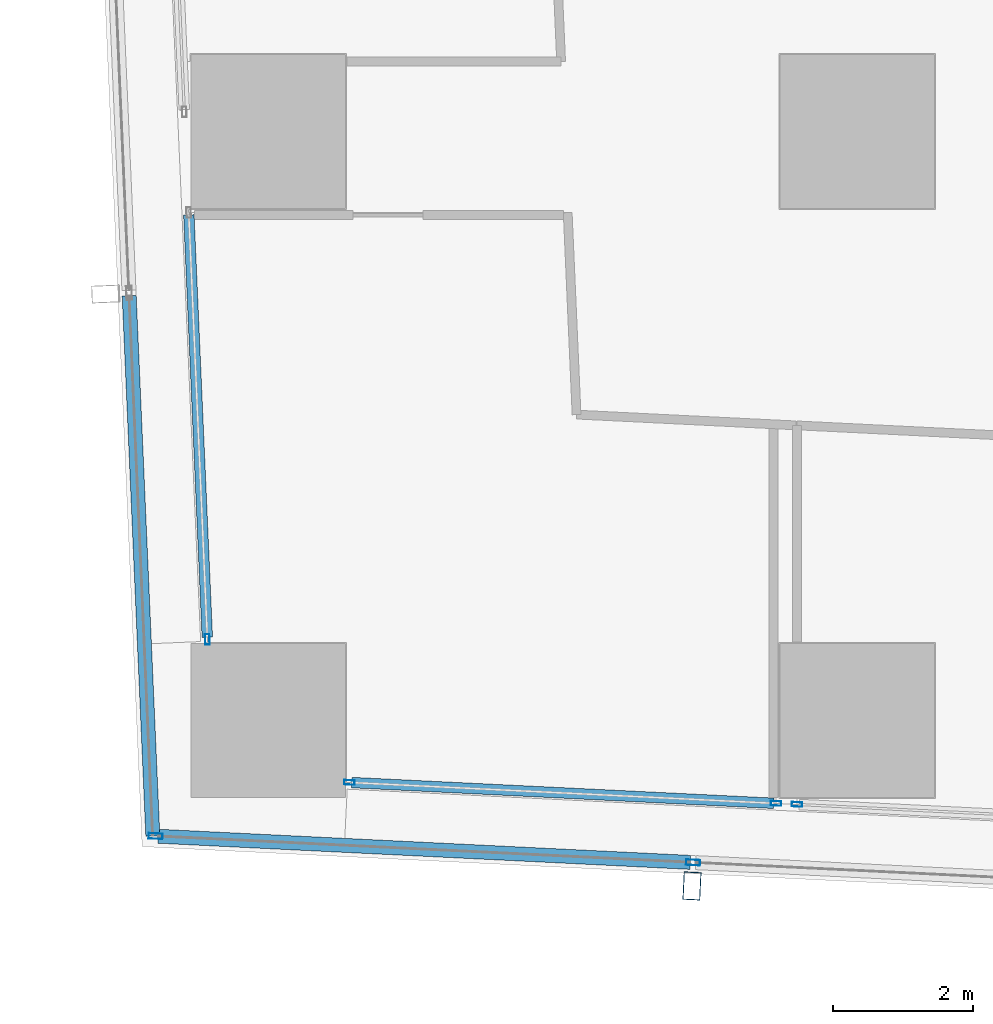
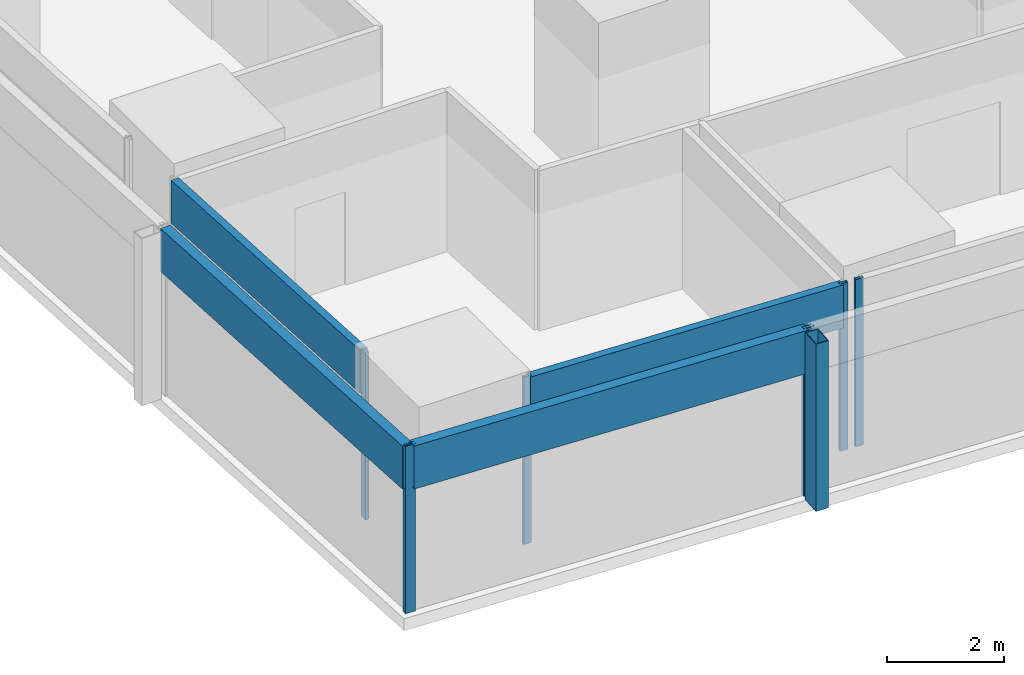
# One storey, part 2 of 42: 11 members, 5 elements without a shape of their own.
"""IFC4 building model written with IfcOpenShell, lengths in metres."""

from ifc_helpers import new_model, si_unit, direction, frame, origin, origin_2d, place, context, subcontext, project, spatial, hollow_rectangle, extrude, material, material_profile, profile_set, type_object, element, aggregate, save


model = new_model("IFC4")

# Units and contexts
model_context = context("Model", 3, precision=1e-05, world=origin(), true_north=direction((0.0, 1.0)))
body_context = subcontext(model_context, "Body", "Model", "MODEL_VIEW")
ifc_project = project(units=[si_unit("LENGTHUNIT", "METRE"), si_unit("AREAUNIT", "SQUARE_METRE"), si_unit("VOLUMEUNIT", "CUBIC_METRE"), si_unit("PLANEANGLEUNIT", "RADIAN"), si_unit("MASSUNIT", "GRAM", prefix="KILO")], contexts=[model_context])

# Site, building, storey
site_placement = place(None, origin())
site = spatial("IfcSite", under=ifc_project, at=site_placement, CompositionType="ELEMENT")
building_placement = place(site_placement, origin())
building = spatial("IfcBuilding", under=site, at=building_placement, Name="Rekha Terrace Tower", CompositionType="ELEMENT")
storey_placement = place(building_placement, frame((0.0, 0.0, 70.39990234375)))
storey = spatial("IfcBuildingStorey", under=building, at=storey_placement, Name="L17", CompositionType="ELEMENT", Elevation=70.39990234375)

# Curtain wall, member
ifc_material_1 = material(Name="Aluminium framing", Category="aluminium")
curtain_wall_type_1 = type_object("IfcCurtainWallType", Name="CW2 double skin outer glazing", PredefinedType="USERDEFINED", material=ifc_material_1)
curtain_wall_1_placement = place(storey_placement, origin())
curtain_wall_1 = element("IfcCurtainWall", 1, at=curtain_wall_1_placement, inside=storey, type_object=curtain_wall_type_1, Name="CW2 double skin outer glazing", ObjectType="DOUBLE SKIN OUTER GLAZING", PredefinedType="USERDEFINED")
ifc_material_2 = material(Name="Steel S355 with fluorocarbon finish", Category="steel")
ifc_material_profile_1 = material_profile(ifc_material_2, hollow_rectangle(XDim=0.25, YDim=0.39990234375, WallThickness=0.012451171875, at=origin_2d()), Name="RHS400x250x12.5")
ifc_profile_set_1 = profile_set([ifc_material_profile_1], Name="Steel S355 with fluorocarbon finish")
member_type_1 = type_object("IfcMemberType", Name="BL1 facade blade RHS 400 x 250", PredefinedType="USERDEFINED", material=ifc_profile_set_1)
member_1_placement = place(storey_placement, frame((14.443603515625, 6.03955078125, 0.0), z_axis=(0.0, 0.0, 1.0), x_axis=(0.998796226835, -0.049051985279, 0.0)))
member_1 = element("IfcMember", 2, at=member_1_placement, type_object=member_type_1, Name="Facade blade", ObjectType="FACADE BLADE", PredefinedType="USERDEFINED", context=body_context, shape_type="SweptSolid", body=[
    extrude(hollow_rectangle(XDim=0.25, YDim=0.39990234375, WallThickness=0.012451171875, at=origin_2d()), origin(), (0.0, 0.0, 1.0), 3.5),
])

# Curtain wall, members
curtain_wall_type_2 = type_object("IfcCurtainWallType", Name="CW1 double skin inner glazing", PredefinedType="USERDEFINED", material=ifc_material_1)
curtain_wall_2_placement = place(storey_placement, origin())
curtain_wall_2 = element("IfcCurtainWall", 3, at=curtain_wall_2_placement, inside=storey, type_object=curtain_wall_type_2, Name="CW1 double skin inner glazing", ObjectType="DOUBLE SKIN INNER GLAZING", PredefinedType="USERDEFINED")
ifc_material_3 = material(Name="Aluminium mullion section", Category="aluminium")
ifc_material_profile_2 = material_profile(ifc_material_3, hollow_rectangle(XDim=0.06494140625, YDim=0.14990234375, WallThickness=0.00390625, at=origin_2d()), Name="AL RHS 65x150")
ifc_profile_set_2 = profile_set([ifc_material_profile_2], Name="Aluminium mullion section")
member_type_2 = type_object("IfcMemberType", Name="CW1 mullion RHS 65 x 150", PredefinedType="MULLION", material=ifc_profile_set_2)
member_2_placement = place(storey_placement, frame((9.55712890625, 7.51611328125, 0.0), z_axis=(0.0, 0.0, 1.0), x_axis=(0.049051717693, 0.998796239977, 0.0)))
member_2 = element("IfcMember", 4, at=member_2_placement, type_object=member_type_2, Name="CW1 mullion 1", PredefinedType="MULLION", context=body_context, shape_type="SweptSolid", body=[
    extrude(hollow_rectangle(XDim=0.06494140625, YDim=0.14990234375, WallThickness=0.00390625, at=origin_2d()), origin(), (0.0, 0.0, 1.0), 3.5),
])
member_3_placement = place(storey_placement, frame((15.642822265625, 7.21728515625, 0.0), z_axis=(0.0, 0.0, 1.0), x_axis=(0.049051717693, 0.998796239977, 0.0)))
member_3 = element("IfcMember", 5, at=member_3_placement, type_object=member_type_2, Name="CW1 mullion 2", PredefinedType="MULLION", context=body_context, shape_type="SweptSolid", body=[
    extrude(hollow_rectangle(XDim=0.06494140625, YDim=0.14990234375, WallThickness=0.00390625, at=origin_2d()), origin(), (0.0, 0.0, 1.0), 3.5),
])

# Curtain wall, member
curtain_wall_3_placement = place(storey_placement, origin())
curtain_wall_3 = element("IfcCurtainWall", 6, at=curtain_wall_3_placement, inside=storey, type_object=curtain_wall_type_2, Name="CW1 double skin inner glazing", ObjectType="DOUBLE SKIN INNER GLAZING", PredefinedType="USERDEFINED")
member_4_placement = place(storey_placement, frame((15.94091796875, 7.20263671875, 0.0), z_axis=(0.0, 0.0, 1.0), x_axis=(0.049051717746, 0.998796239974, 0.0)))
member_4 = element("IfcMember", 7, at=member_4_placement, type_object=member_type_2, Name="CW1 mullion 1", PredefinedType="MULLION", context=body_context, shape_type="SweptSolid", body=[
    extrude(hollow_rectangle(XDim=0.06494140625, YDim=0.14990234375, WallThickness=0.00390625, at=origin_2d()), origin(), (0.0, 0.0, 1.0), 3.5),
])
aggregate(curtain_wall_3, [member_4])

curtain_wall_4_placement = place(storey_placement, origin())
curtain_wall_4 = element("IfcCurtainWall", 8, at=curtain_wall_4_placement, inside=storey, type_object=curtain_wall_type_2, Name="CW1 double skin inner glazing", ObjectType="DOUBLE SKIN INNER GLAZING", PredefinedType="USERDEFINED")
member_5_placement = place(storey_placement, frame((7.53173828125, 9.556640625, 0.0), z_axis=(0.0, 0.0, 1.0), x_axis=(0.999045462129, 0.043682543424, 0.0)))
member_5 = element("IfcMember", 9, at=member_5_placement, type_object=member_type_2, Name="CW1 mullion 2", PredefinedType="MULLION", context=body_context, shape_type="SweptSolid", body=[
    extrude(hollow_rectangle(XDim=0.06494140625, YDim=0.14990234375, WallThickness=0.00390625, at=origin_2d()), origin(), (0.0, 0.0, 1.0), 3.5),
])

# Member
ifc_material_4 = material(Name="Insulated aluminium spandrel box", Category="aluminium")
ifc_material_profile_3 = material_profile(ifc_material_4, hollow_rectangle(XDim=0.14990234375, YDim=0.89990234375, WallThickness=0.0029296875, at=origin_2d()), Name="AL SPANDREL BOX 150x900")
ifc_profile_set_3 = profile_set([ifc_material_profile_3], Name="Insulated aluminium spandrel box")
member_type_3 = type_object("IfcMemberType", Name="CW1 spandrel transom 150 x 900", PredefinedType="USERDEFINED", material=ifc_profile_set_3)
member_6_placement = place(storey_placement, frame((9.589599609375, 7.514404296875, 3.050048828125), z_axis=(0.99879648266, -0.049046775901, 0.0), x_axis=(0.049046775901, 0.99879648266, 0.0)))
member_6 = element("IfcMember", 10, at=member_6_placement, type_object=member_type_3, Name="CW1 spandrel transom 1", ObjectType="TRANSOM", PredefinedType="USERDEFINED", context=body_context, shape_type="SweptSolid", body=[
    extrude(hollow_rectangle(XDim=0.14990234375, YDim=0.89990234375, WallThickness=0.0029296875, at=origin_2d()), origin(), (0.0, 0.0, 1.0), 6.028076171875),
])

aggregate(curtain_wall_2, [member_2, member_3, member_6])

member_7_placement = place(storey_placement, frame((7.26708984375, 15.61083984375, 3.050048828125), z_axis=(0.043663972565, -0.999046273953, 0.0), x_axis=(0.999046273953, 0.043663972565, 0.0)))
member_7 = element("IfcMember", 11, at=member_7_placement, type_object=member_type_3, Name="CW1 spandrel transom 1", ObjectType="TRANSOM", PredefinedType="USERDEFINED", context=body_context, shape_type="SweptSolid", body=[
    extrude(hollow_rectangle(XDim=0.14990234375, YDim=0.89990234375, WallThickness=0.0029296875, at=origin_2d()), origin(), (0.0, 0.0, 1.0), 6.027587890625),
])

aggregate(curtain_wall_4, [member_5, member_7])

ifc_material_profile_4 = material_profile(ifc_material_3, hollow_rectangle(XDim=0.080078125, YDim=0.199951171875, WallThickness=0.00390625, at=origin_2d()), Name="AL RHS 80x200")
ifc_profile_set_4 = profile_set([ifc_material_profile_4], Name="Aluminium mullion section")
member_type_4 = type_object("IfcMemberType", Name="CW2 mullion RHS 80 x 200", PredefinedType="MULLION", material=ifc_profile_set_4)
member_8_placement = place(storey_placement, frame((6.79345703125, 6.750732421875, 0.0), z_axis=(0.0, 0.0, 1.0), x_axis=(0.049051717746, 0.998796239974, 0.0)))
member_8 = element("IfcMember", 12, at=member_8_placement, type_object=member_type_4, Name="CW2 mullion 1", PredefinedType="MULLION", context=body_context, shape_type="SweptSolid", body=[
    extrude(hollow_rectangle(XDim=0.080078125, YDim=0.199951171875, WallThickness=0.00390625, at=origin_2d()), origin(), (0.0, 0.0, 1.0), 3.5),
])

member_9_placement = place(storey_placement, frame((14.4599609375, 6.374267578125, 0.0), z_axis=(0.0, 0.0, 1.0), x_axis=(0.049051717746, 0.998796239974, 0.0)))
member_9 = element("IfcMember", 13, at=member_9_placement, type_object=member_type_4, Name="CW2 mullion 2", PredefinedType="MULLION", context=body_context, shape_type="SweptSolid", body=[
    extrude(hollow_rectangle(XDim=0.080078125, YDim=0.199951171875, WallThickness=0.00390625, at=origin_2d()), origin(), (0.0, 0.0, 1.0), 3.5),
])

ifc_material_profile_5 = material_profile(ifc_material_4, hollow_rectangle(XDim=0.199951171875, YDim=0.89990234375, WallThickness=0.0029296875, at=origin_2d()), Name="AL SPANDREL BOX 200x900")
ifc_profile_set_5 = profile_set([ifc_material_profile_5], Name="Insulated aluminium spandrel box")
member_type_5 = type_object("IfcMemberType", Name="CW2 spandrel transom 200 x 900", PredefinedType="USERDEFINED", material=ifc_profile_set_5)
member_10_placement = place(storey_placement, frame((6.83349609375, 6.748779296875, 3.050048828125), z_axis=(0.99879635036, -0.049049469996, 0.0), x_axis=(0.049049469996, 0.99879635036, 0.0)))
member_10 = element("IfcMember", 14, at=member_10_placement, type_object=member_type_5, Name="CW2 spandrel transom 1", ObjectType="TRANSOM", PredefinedType="USERDEFINED", context=body_context, shape_type="SweptSolid", body=[
    extrude(hollow_rectangle(XDim=0.199951171875, YDim=0.89990234375, WallThickness=0.0029296875, at=origin_2d()), origin(), (0.0, 0.0, 1.0), 7.595458984375),
])

aggregate(curtain_wall_1, [member_8, member_9, member_10, member_1])

# Curtain wall, member
curtain_wall_5_placement = place(storey_placement, origin())
curtain_wall_5 = element("IfcCurtainWall", 15, at=curtain_wall_5_placement, inside=storey, type_object=curtain_wall_type_1, Name="CW2 double skin outer glazing", ObjectType="DOUBLE SKIN OUTER GLAZING", PredefinedType="USERDEFINED")
member_11_placement = place(storey_placement, frame((6.41650390625, 14.45703125, 3.050048828125), z_axis=(0.043688638652, -0.999045195601, 0.0), x_axis=(0.999045195601, 0.043688638652, 0.0)))
member_11 = element("IfcMember", 16, at=member_11_placement, type_object=member_type_5, Name="CW2 spandrel transom 5", ObjectType="TRANSOM", PredefinedType="USERDEFINED", context=body_context, shape_type="SweptSolid", body=[
    extrude(hollow_rectangle(XDim=0.199951171875, YDim=0.89990234375, WallThickness=0.0029296875, at=origin_2d()), origin(), (0.0, 0.0, 1.0), 7.711669921875),
])
aggregate(curtain_wall_5, [member_11])

save(model, "model.ifc")
